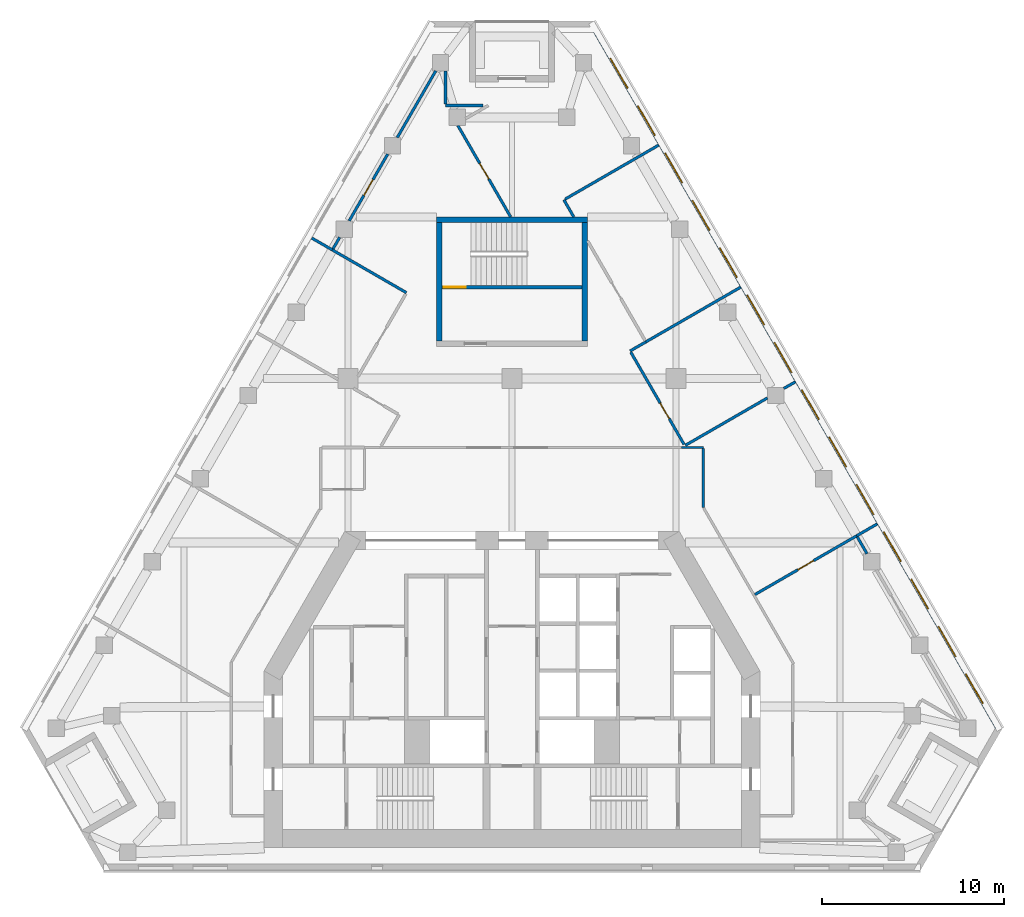
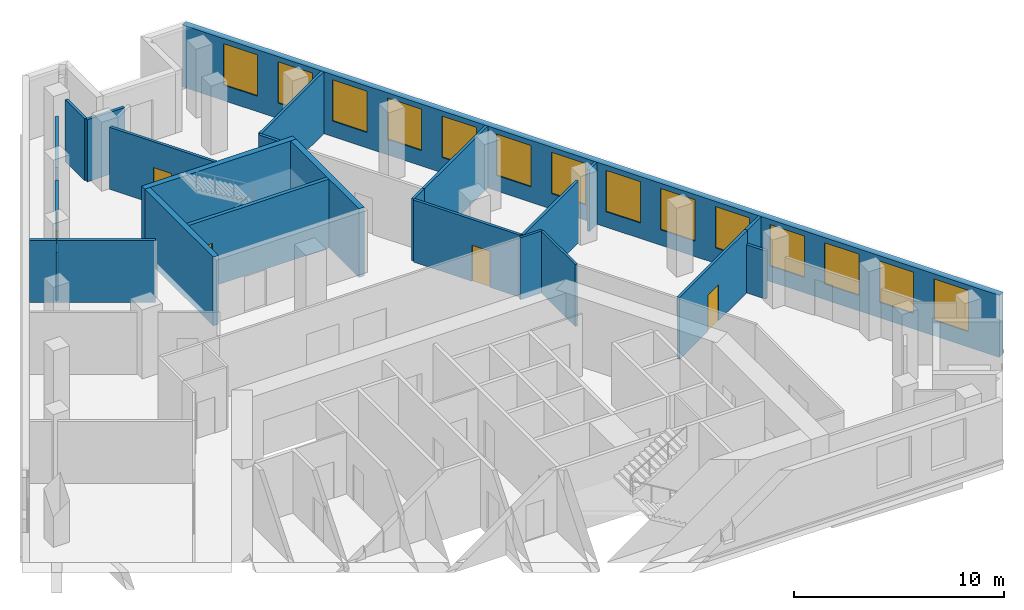
# One storey, part 6 of 8: 25 walls, 14 windows, 5 doors, 19 openings.
"""IFC4 building model written with IfcOpenShell, lengths in metres."""

from ifc_helpers import new_model, si_unit, direction, frame, frame_2d, origin, place, context, subcontext, project, spatial, rectangle, extrude, material, layer, layer_set, type_object, element, fill, save


model = new_model("IFC4")

# Units and contexts
model_context = context("Model", 3, precision=1e-05, world=origin(), true_north=direction((0.0, 1.0)))
body_context = subcontext(model_context, "Body", "Model", "MODEL_VIEW")
ifc_project = project(units=[si_unit("LENGTHUNIT", "METRE"), si_unit("AREAUNIT", "SQUARE_METRE"), si_unit("VOLUMEUNIT", "CUBIC_METRE"), si_unit("PLANEANGLEUNIT", "RADIAN"), si_unit("MASSUNIT", "GRAM", prefix="KILO")], contexts=[model_context])

# Site, building, storey
site_placement = place(None, origin())
site = spatial("IfcSite", under=ifc_project, at=site_placement, CompositionType="ELEMENT")
building_placement = place(site_placement, origin())
building = spatial("IfcBuilding", under=site, at=building_placement, Name="Fogline Exchange Tower", CompositionType="ELEMENT")
storey_placement = place(building_placement, frame((0.0, 0.0, 231.5)))
storey = spatial("IfcBuildingStorey", under=building, at=storey_placement, Name="L52", CompositionType="ELEMENT", Elevation=231.5)

# Wall, opening, door
ifc_material_1 = material(Name="Concrete C40", Category="concrete")
ifc_layer_1 = layer(ifc_material_1, 0.199951171875)
ifc_layer_set_1 = layer_set([ifc_layer_1], Name="CW20R")
wall_type_1 = type_object("IfcWallType", Name="CW20R", PredefinedType="SOLIDWALL", material=ifc_layer_set_1)
wall_1_placement = place(storey_placement, frame((-3.85009765625, 32.007080078125, -0.39990234375), z_axis=(0.0, 0.0, 1.0), x_axis=(1.0, 0.0, 0.0)))
wall_1 = element("IfcWall", 1, at=wall_1_placement, inside=storey, type_object=wall_type_1, Name="Stair enclosure wall ST3", PredefinedType="SOLIDWALL", context=body_context, shape_type="SweptSolid", body=[
    extrude(rectangle(XDim=7.7001953125, YDim=0.199951171875, at=frame_2d((3.85009765625, 0.0))), origin(), (0.0, 0.0, 1.0), 4.0),
])
opening_1_placement = place(wall_1_placement, frame((0.10009765625, 0.0, 0.39990234375)))
opening_1 = element("IfcOpeningElement", 2, at=opening_1_placement, cuts=wall_1, Name="Opening T16-C023", PredefinedType="OPENING", context=body_context, shape_type="SweptSolid", body=[
    extrude(rectangle(XDim=1.199951171875, YDim=2.10009765625, at=frame_2d((0.60009765625, 1.050048828125))), frame((0.0, 0.10986328125, 0.0), z_axis=(0.0, -1.0, 0.0), x_axis=(1.0, 0.0, 0.0)), (0.0, 0.0, 1.0), 0.219970703125),
])
ifc_material_2 = material(Name="Steel and timber fire door", Category="steel")
door_type_1 = type_object("IfcDoorType", Name="D-ST1", OperationType="SINGLE_SWING_LEFT", PredefinedType="DOOR", material=ifc_material_2)
door_1_placement = place(opening_1_placement, origin())
door_1 = element("IfcDoor", 3, at=door_1_placement, inside=storey, type_object=door_type_1, Name="Stair door ST3", OperationType="SINGLE_SWING_LEFT", OverallHeight=2.10009765625, OverallWidth=1.199951171875, PredefinedType="DOOR", context=body_context, shape_type="SweptSolid", body=[
    extrude(rectangle(XDim=1.199951171875, YDim=2.10009765625, at=frame_2d((0.60009765625, 1.050048828125))), frame((0.0, 0.02490234375, 0.0), z_axis=(0.0, -1.0, 0.0), x_axis=(1.0, 0.0, 0.0)), (0.0, 0.0, 1.0), 0.050048828125),
])
fill(opening_1, door_1)

# Walls
ifc_layer_2 = layer(ifc_material_1, 0.300048828125)
ifc_layer_set_2 = layer_set([ifc_layer_2], Name="CW30")
wall_type_2 = type_object("IfcWallType", Name="CW30", PredefinedType="SOLIDWALL", material=ifc_layer_set_2)
wall_2_placement = place(storey_placement, frame((-4.14990234375, 35.70703125, -0.39990234375), z_axis=(0.0, 0.0, 1.0), x_axis=(1.0, 0.0, 0.0)))
element("IfcWall", 4, at=wall_2_placement, inside=storey, type_object=wall_type_2, Name="Stair enclosure wall ST3", PredefinedType="SOLIDWALL", context=body_context, shape_type="SweptSolid", body=[
    extrude(rectangle(XDim=8.2998046875, YDim=0.300048828125, at=frame_2d((4.14990234375, 0.0))), origin(), (0.0, 0.0, 1.0), 4.0),
])
for number, where, z_axis, x_axis, name in (
    (5, (-4.0, 29.056884765625, -0.39990234375), (0.0, 0.0, 1.0), (0.0, 1.0, 0.0), "Stair enclosure wall ST3"),
    (6, (4.0, 29.056884765625, -0.39990234375), (0.0, 0.0, 1.0), (0.0, 1.0, 0.0), "Stair enclosure wall ST3"),
):
    element("IfcWall", number, at=place(storey_placement, frame(where, z_axis=z_axis, x_axis=x_axis)), inside=storey, type_object=wall_type_2, Name=name, PredefinedType="SOLIDWALL", context=body_context, shape_type="SweptSolid", body=[
        extrude(rectangle(XDim=6.5, YDim=0.300048828125, at=frame_2d((3.25, 0.0))), origin(), (0.0, 0.0, 1.0), 4.0),
    ])

# Wall, openings, windows
ifc_material_3 = material(Name="Brick masonry", Category="masonry")
ifc_layer_3 = layer(ifc_material_3, 0.340087890625)
ifc_layer_set_3 = layer_set([ifc_layer_3], Name="FW1")
wall_type_3 = type_object("IfcWallType", Name="FW1", PredefinedType="SOLIDWALL", material=ifc_layer_set_3)
wall_3_placement = place(storey_placement, frame((26.766845703125, 7.709228515625, 0.0), z_axis=(0.0, 0.0, 1.0), x_axis=(-0.499997926022, 0.866026601193, 0.0)))
wall_3 = element("IfcWall", 7, at=wall_3_placement, inside=storey, type_object=wall_type_3, Name="Brick wall L52 E", PredefinedType="SOLIDWALL", context=body_context, shape_type="SweptSolid", body=[
    extrude(rectangle(XDim=44.828369140625, YDim=0.340087890625, at=frame_2d((22.4140625, 0.0))), origin(), (0.0, 0.0, 1.0), 3.60009765625),
])
opening_2_placement = place(wall_3_placement, frame((1.70703125, 0.0, 0.89990234375)))
opening_2 = element("IfcOpeningElement", 8, at=opening_2_placement, cuts=wall_3, Name="Opening W1", PredefinedType="OPENING", context=body_context, shape_type="SweptSolid", body=[
    extrude(rectangle(XDim=1.885009765625, YDim=2.39990234375, at=frame_2d((0.9423828125, 1.199951171875))), frame((0.0, 0.18017578125, 0.0), z_axis=(0.0, -1.0, 0.0), x_axis=(1.0, 0.0, 0.0)), (0.0, 0.0, 1.0), 0.360107421875),
])
opening_3_placement = place(wall_3_placement, frame((4.70703125, 0.0, 0.89990234375)))
opening_3 = element("IfcOpeningElement", 9, at=opening_3_placement, cuts=wall_3, Name="Opening W1", PredefinedType="OPENING", context=body_context, shape_type="SweptSolid", body=[
    extrude(rectangle(XDim=1.885009765625, YDim=2.39990234375, at=frame_2d((0.9423828125, 1.199951171875))), frame((0.0, 0.18017578125, 0.0), z_axis=(0.0, -1.0, 0.0), x_axis=(1.0, 0.0, 0.0)), (0.0, 0.0, 1.0), 0.360107421875),
])
opening_4_placement = place(wall_3_placement, frame((7.70703125, 0.0, 0.89990234375)))
opening_4 = element("IfcOpeningElement", 10, at=opening_4_placement, cuts=wall_3, Name="Opening W1", PredefinedType="OPENING", context=body_context, shape_type="SweptSolid", body=[
    extrude(rectangle(XDim=1.885009765625, YDim=2.39990234375, at=frame_2d((0.9423828125, 1.199951171875))), frame((0.0, 0.18017578125, 0.0), z_axis=(0.0, -1.0, 0.0), x_axis=(1.0, 0.0, 0.0)), (0.0, 0.0, 1.0), 0.360107421875),
])
opening_5_placement = place(wall_3_placement, frame((10.70703125, 0.0, 0.89990234375)))
opening_5 = element("IfcOpeningElement", 11, at=opening_5_placement, cuts=wall_3, Name="Opening W1", PredefinedType="OPENING", context=body_context, shape_type="SweptSolid", body=[
    extrude(rectangle(XDim=1.885009765625, YDim=2.39990234375, at=frame_2d((0.9423828125, 1.199951171875))), frame((0.0, 0.18017578125, 0.0), z_axis=(0.0, -1.0, 0.0), x_axis=(1.0, 0.0, 0.0)), (0.0, 0.0, 1.0), 0.360107421875),
])
opening_6_placement = place(wall_3_placement, frame((13.70703125, 0.0, 0.89990234375)))
opening_6 = element("IfcOpeningElement", 12, at=opening_6_placement, cuts=wall_3, Name="Opening W1", PredefinedType="OPENING", context=body_context, shape_type="SweptSolid", body=[
    extrude(rectangle(XDim=1.885009765625, YDim=2.39990234375, at=frame_2d((0.9423828125, 1.199951171875))), frame((0.0, 0.18017578125, 0.0), z_axis=(0.0, -1.0, 0.0), x_axis=(1.0, 0.0, 0.0)), (0.0, 0.0, 1.0), 0.360107421875),
])
opening_7_placement = place(wall_3_placement, frame((16.70703125, 0.0, 0.89990234375)))
opening_7 = element("IfcOpeningElement", 13, at=opening_7_placement, cuts=wall_3, Name="Opening W1", PredefinedType="OPENING", context=body_context, shape_type="SweptSolid", body=[
    extrude(rectangle(XDim=1.885009765625, YDim=2.39990234375, at=frame_2d((0.9423828125, 1.199951171875))), frame((0.0, 0.18017578125, 0.0), z_axis=(0.0, -1.0, 0.0), x_axis=(1.0, 0.0, 0.0)), (0.0, 0.0, 1.0), 0.360107421875),
])
opening_8_placement = place(wall_3_placement, frame((19.70703125, 0.0, 0.89990234375)))
opening_8 = element("IfcOpeningElement", 14, at=opening_8_placement, cuts=wall_3, Name="Opening W1", PredefinedType="OPENING", context=body_context, shape_type="SweptSolid", body=[
    extrude(rectangle(XDim=1.885009765625, YDim=2.39990234375, at=frame_2d((0.9423828125, 1.199951171875))), frame((0.0, 0.18017578125, 0.0), z_axis=(0.0, -1.0, 0.0), x_axis=(1.0, 0.0, 0.0)), (0.0, 0.0, 1.0), 0.360107421875),
])
opening_9_placement = place(wall_3_placement, frame((22.70703125, 0.0, 0.89990234375)))
opening_9 = element("IfcOpeningElement", 15, at=opening_9_placement, cuts=wall_3, Name="Opening W1", PredefinedType="OPENING", context=body_context, shape_type="SweptSolid", body=[
    extrude(rectangle(XDim=1.885009765625, YDim=2.39990234375, at=frame_2d((0.9423828125, 1.199951171875))), frame((0.0, 0.18017578125, 0.0), z_axis=(0.0, -1.0, 0.0), x_axis=(1.0, 0.0, 0.0)), (0.0, 0.0, 1.0), 0.360107421875),
])
opening_10_placement = place(wall_3_placement, frame((25.70703125, 0.0, 0.89990234375)))
opening_10 = element("IfcOpeningElement", 16, at=opening_10_placement, cuts=wall_3, Name="Opening W1", PredefinedType="OPENING", context=body_context, shape_type="SweptSolid", body=[
    extrude(rectangle(XDim=1.885009765625, YDim=2.39990234375, at=frame_2d((0.9423828125, 1.199951171875))), frame((0.0, 0.18017578125, 0.0), z_axis=(0.0, -1.0, 0.0), x_axis=(1.0, 0.0, 0.0)), (0.0, 0.0, 1.0), 0.360107421875),
])
opening_11_placement = place(wall_3_placement, frame((28.70703125, 0.0, 0.89990234375)))
opening_11 = element("IfcOpeningElement", 17, at=opening_11_placement, cuts=wall_3, Name="Opening W1", PredefinedType="OPENING", context=body_context, shape_type="SweptSolid", body=[
    extrude(rectangle(XDim=1.885009765625, YDim=2.39990234375, at=frame_2d((0.9423828125, 1.199951171875))), frame((0.0, 0.18017578125, 0.0), z_axis=(0.0, -1.0, 0.0), x_axis=(1.0, 0.0, 0.0)), (0.0, 0.0, 1.0), 0.360107421875),
])
opening_12_placement = place(wall_3_placement, frame((31.70703125, 0.0, 0.89990234375)))
opening_12 = element("IfcOpeningElement", 18, at=opening_12_placement, cuts=wall_3, Name="Opening W1", PredefinedType="OPENING", context=body_context, shape_type="SweptSolid", body=[
    extrude(rectangle(XDim=1.885009765625, YDim=2.39990234375, at=frame_2d((0.9423828125, 1.199951171875))), frame((0.0, 0.18017578125, 0.0), z_axis=(0.0, -1.0, 0.0), x_axis=(1.0, 0.0, 0.0)), (0.0, 0.0, 1.0), 0.360107421875),
])
opening_13_placement = place(wall_3_placement, frame((34.70703125, 0.0, 0.89990234375)))
opening_13 = element("IfcOpeningElement", 19, at=opening_13_placement, cuts=wall_3, Name="Opening W1", PredefinedType="OPENING", context=body_context, shape_type="SweptSolid", body=[
    extrude(rectangle(XDim=1.885009765625, YDim=2.39990234375, at=frame_2d((0.9423828125, 1.199951171875))), frame((0.0, 0.18017578125, 0.0), z_axis=(0.0, -1.0, 0.0), x_axis=(1.0, 0.0, 0.0)), (0.0, 0.0, 1.0), 0.360107421875),
])
opening_14_placement = place(wall_3_placement, frame((37.70703125, 0.0, 0.89990234375)))
opening_14 = element("IfcOpeningElement", 20, at=opening_14_placement, cuts=wall_3, Name="Opening W1", PredefinedType="OPENING", context=body_context, shape_type="SweptSolid", body=[
    extrude(rectangle(XDim=1.885009765625, YDim=2.39990234375, at=frame_2d((0.9423828125, 1.199951171875))), frame((0.0, 0.18017578125, 0.0), z_axis=(0.0, -1.0, 0.0), x_axis=(1.0, 0.0, 0.0)), (0.0, 0.0, 1.0), 0.360107421875),
])
opening_15_placement = place(wall_3_placement, frame((40.70703125, 0.0, 0.89990234375)))
opening_15 = element("IfcOpeningElement", 21, at=opening_15_placement, cuts=wall_3, Name="Opening W1", PredefinedType="OPENING", context=body_context, shape_type="SweptSolid", body=[
    extrude(rectangle(XDim=1.885009765625, YDim=2.39990234375, at=frame_2d((0.9423828125, 1.199951171875))), frame((0.0, 0.18017578125, 0.0), z_axis=(0.0, -1.0, 0.0), x_axis=(1.0, 0.0, 0.0)), (0.0, 0.0, 1.0), 0.360107421875),
])
ifc_material_4 = material(Name="Aluminium and glass", Category="aluminium")
window_type = type_object("IfcWindowType", Name="W1", PartitioningType="SINGLE_PANEL", PredefinedType="WINDOW", material=ifc_material_4)
window_1_placement = place(opening_2_placement, origin())
window_1 = element("IfcWindow", 22, at=window_1_placement, inside=storey, type_object=window_type, Name="W1 W1", OverallHeight=2.39990234375, OverallWidth=1.885009765625, PartitioningType="SINGLE_PANEL", PredefinedType="WINDOW", context=body_context, shape_type="SweptSolid", body=[
    extrude(rectangle(XDim=1.885009765625, YDim=2.39990234375, at=frame_2d((0.9423828125, 1.199951171875))), frame((0.0, 0.110107421875, 0.0), z_axis=(0.0, -1.0, 0.0), x_axis=(1.0, 0.0, 0.0)), (0.0, 0.0, 1.0), 0.06005859375),
])
fill(opening_2, window_1)
window_2_placement = place(opening_3_placement, origin())
window_2 = element("IfcWindow", 23, at=window_2_placement, inside=storey, type_object=window_type, Name="W1 W1", OverallHeight=2.39990234375, OverallWidth=1.885009765625, PartitioningType="SINGLE_PANEL", PredefinedType="WINDOW", context=body_context, shape_type="SweptSolid", body=[
    extrude(rectangle(XDim=1.885009765625, YDim=2.39990234375, at=frame_2d((0.9423828125, 1.199951171875))), frame((0.0, 0.110107421875, 0.0), z_axis=(0.0, -1.0, 0.0), x_axis=(1.0, 0.0, 0.0)), (0.0, 0.0, 1.0), 0.06005859375),
])
fill(opening_3, window_2)
window_3_placement = place(opening_4_placement, origin())
window_3 = element("IfcWindow", 24, at=window_3_placement, inside=storey, type_object=window_type, Name="W1 W1", OverallHeight=2.39990234375, OverallWidth=1.885009765625, PartitioningType="SINGLE_PANEL", PredefinedType="WINDOW", context=body_context, shape_type="SweptSolid", body=[
    extrude(rectangle(XDim=1.885009765625, YDim=2.39990234375, at=frame_2d((0.9423828125, 1.199951171875))), frame((0.0, 0.110107421875, 0.0), z_axis=(0.0, -1.0, 0.0), x_axis=(1.0, 0.0, 0.0)), (0.0, 0.0, 1.0), 0.06005859375),
])
fill(opening_4, window_3)
window_4_placement = place(opening_5_placement, origin())
window_4 = element("IfcWindow", 25, at=window_4_placement, inside=storey, type_object=window_type, Name="W1 W1", OverallHeight=2.39990234375, OverallWidth=1.885009765625, PartitioningType="SINGLE_PANEL", PredefinedType="WINDOW", context=body_context, shape_type="SweptSolid", body=[
    extrude(rectangle(XDim=1.885009765625, YDim=2.39990234375, at=frame_2d((0.9423828125, 1.199951171875))), frame((0.0, 0.110107421875, 0.0), z_axis=(0.0, -1.0, 0.0), x_axis=(1.0, 0.0, 0.0)), (0.0, 0.0, 1.0), 0.06005859375),
])
fill(opening_5, window_4)
window_5_placement = place(opening_6_placement, origin())
window_5 = element("IfcWindow", 26, at=window_5_placement, inside=storey, type_object=window_type, Name="W1 W1", OverallHeight=2.39990234375, OverallWidth=1.885009765625, PartitioningType="SINGLE_PANEL", PredefinedType="WINDOW", context=body_context, shape_type="SweptSolid", body=[
    extrude(rectangle(XDim=1.885009765625, YDim=2.39990234375, at=frame_2d((0.9423828125, 1.199951171875))), frame((0.0, 0.110107421875, 0.0), z_axis=(0.0, -1.0, 0.0), x_axis=(1.0, 0.0, 0.0)), (0.0, 0.0, 1.0), 0.06005859375),
])
fill(opening_6, window_5)
window_6_placement = place(opening_7_placement, origin())
window_6 = element("IfcWindow", 27, at=window_6_placement, inside=storey, type_object=window_type, Name="W1 W1", OverallHeight=2.39990234375, OverallWidth=1.885009765625, PartitioningType="SINGLE_PANEL", PredefinedType="WINDOW", context=body_context, shape_type="SweptSolid", body=[
    extrude(rectangle(XDim=1.885009765625, YDim=2.39990234375, at=frame_2d((0.9423828125, 1.199951171875))), frame((0.0, 0.110107421875, 0.0), z_axis=(0.0, -1.0, 0.0), x_axis=(1.0, 0.0, 0.0)), (0.0, 0.0, 1.0), 0.06005859375),
])
fill(opening_7, window_6)
window_7_placement = place(opening_8_placement, origin())
window_7 = element("IfcWindow", 28, at=window_7_placement, inside=storey, type_object=window_type, Name="W1 W1", OverallHeight=2.39990234375, OverallWidth=1.885009765625, PartitioningType="SINGLE_PANEL", PredefinedType="WINDOW", context=body_context, shape_type="SweptSolid", body=[
    extrude(rectangle(XDim=1.885009765625, YDim=2.39990234375, at=frame_2d((0.9423828125, 1.199951171875))), frame((0.0, 0.110107421875, 0.0), z_axis=(0.0, -1.0, 0.0), x_axis=(1.0, 0.0, 0.0)), (0.0, 0.0, 1.0), 0.06005859375),
])
fill(opening_8, window_7)
window_8_placement = place(opening_9_placement, origin())
window_8 = element("IfcWindow", 29, at=window_8_placement, inside=storey, type_object=window_type, Name="W1 W1", OverallHeight=2.39990234375, OverallWidth=1.885009765625, PartitioningType="SINGLE_PANEL", PredefinedType="WINDOW", context=body_context, shape_type="SweptSolid", body=[
    extrude(rectangle(XDim=1.885009765625, YDim=2.39990234375, at=frame_2d((0.9423828125, 1.199951171875))), frame((0.0, 0.110107421875, 0.0), z_axis=(0.0, -1.0, 0.0), x_axis=(1.0, 0.0, 0.0)), (0.0, 0.0, 1.0), 0.06005859375),
])
fill(opening_9, window_8)
window_9_placement = place(opening_10_placement, origin())
window_9 = element("IfcWindow", 30, at=window_9_placement, inside=storey, type_object=window_type, Name="W1 W1", OverallHeight=2.39990234375, OverallWidth=1.885009765625, PartitioningType="SINGLE_PANEL", PredefinedType="WINDOW", context=body_context, shape_type="SweptSolid", body=[
    extrude(rectangle(XDim=1.885009765625, YDim=2.39990234375, at=frame_2d((0.9423828125, 1.199951171875))), frame((0.0, 0.110107421875, 0.0), z_axis=(0.0, -1.0, 0.0), x_axis=(1.0, 0.0, 0.0)), (0.0, 0.0, 1.0), 0.06005859375),
])
fill(opening_10, window_9)
window_10_placement = place(opening_11_placement, origin())
window_10 = element("IfcWindow", 31, at=window_10_placement, inside=storey, type_object=window_type, Name="W1 W1", OverallHeight=2.39990234375, OverallWidth=1.885009765625, PartitioningType="SINGLE_PANEL", PredefinedType="WINDOW", context=body_context, shape_type="SweptSolid", body=[
    extrude(rectangle(XDim=1.885009765625, YDim=2.39990234375, at=frame_2d((0.9423828125, 1.199951171875))), frame((0.0, 0.110107421875, 0.0), z_axis=(0.0, -1.0, 0.0), x_axis=(1.0, 0.0, 0.0)), (0.0, 0.0, 1.0), 0.06005859375),
])
fill(opening_11, window_10)
window_11_placement = place(opening_12_placement, origin())
window_11 = element("IfcWindow", 32, at=window_11_placement, inside=storey, type_object=window_type, Name="W1 W1", OverallHeight=2.39990234375, OverallWidth=1.885009765625, PartitioningType="SINGLE_PANEL", PredefinedType="WINDOW", context=body_context, shape_type="SweptSolid", body=[
    extrude(rectangle(XDim=1.885009765625, YDim=2.39990234375, at=frame_2d((0.9423828125, 1.199951171875))), frame((0.0, 0.110107421875, 0.0), z_axis=(0.0, -1.0, 0.0), x_axis=(1.0, 0.0, 0.0)), (0.0, 0.0, 1.0), 0.06005859375),
])
fill(opening_12, window_11)
window_12_placement = place(opening_13_placement, origin())
window_12 = element("IfcWindow", 33, at=window_12_placement, inside=storey, type_object=window_type, Name="W1 W1", OverallHeight=2.39990234375, OverallWidth=1.885009765625, PartitioningType="SINGLE_PANEL", PredefinedType="WINDOW", context=body_context, shape_type="SweptSolid", body=[
    extrude(rectangle(XDim=1.885009765625, YDim=2.39990234375, at=frame_2d((0.9423828125, 1.199951171875))), frame((0.0, 0.110107421875, 0.0), z_axis=(0.0, -1.0, 0.0), x_axis=(1.0, 0.0, 0.0)), (0.0, 0.0, 1.0), 0.06005859375),
])
fill(opening_13, window_12)
window_13_placement = place(opening_14_placement, origin())
window_13 = element("IfcWindow", 34, at=window_13_placement, inside=storey, type_object=window_type, Name="W1 W1", OverallHeight=2.39990234375, OverallWidth=1.885009765625, PartitioningType="SINGLE_PANEL", PredefinedType="WINDOW", context=body_context, shape_type="SweptSolid", body=[
    extrude(rectangle(XDim=1.885009765625, YDim=2.39990234375, at=frame_2d((0.9423828125, 1.199951171875))), frame((0.0, 0.110107421875, 0.0), z_axis=(0.0, -1.0, 0.0), x_axis=(1.0, 0.0, 0.0)), (0.0, 0.0, 1.0), 0.06005859375),
])
fill(opening_14, window_13)
window_14_placement = place(opening_15_placement, origin())
window_14 = element("IfcWindow", 35, at=window_14_placement, inside=storey, type_object=window_type, Name="W1 W1", OverallHeight=2.39990234375, OverallWidth=1.885009765625, PartitioningType="SINGLE_PANEL", PredefinedType="WINDOW", context=body_context, shape_type="SweptSolid", body=[
    extrude(rectangle(XDim=1.885009765625, YDim=2.39990234375, at=frame_2d((0.9423828125, 1.199951171875))), frame((0.0, 0.110107421875, 0.0), z_axis=(0.0, -1.0, 0.0), x_axis=(1.0, 0.0, 0.0)), (0.0, 0.0, 1.0), 0.06005859375),
])
fill(opening_15, window_14)

# Walls
ifc_material_5 = material(Name="Plasterboard corridor partition with mineral wool, 2 layers each side")
ifc_layer_4 = layer(ifc_material_5, 0.125)
ifc_layer_set_4 = layer_set([ifc_layer_4], Name="PW2")
wall_type_4 = type_object("IfcWallType", Name="PW2", PredefinedType="PARTITIONING", material=ifc_layer_set_4)
wall_4_placement = place(storey_placement, frame((9.298583984375, 23.199951171875, 0.0), z_axis=(0.0, 0.0, 1.0), x_axis=(1.0, 0.0, 0.0)))
element("IfcWall", 36, at=wall_4_placement, inside=storey, type_object=wall_type_4, Name="wall-L52-W005", PredefinedType="PARTITIONING", context=body_context, shape_type="SweptSolid", body=[
    extrude(rectangle(XDim=1.201416015625, YDim=0.125, at=frame_2d((0.6005859375, 0.0))), origin(), (0.0, 0.0, 1.0), 3.60009765625),
])
wall_5_placement = place(storey_placement, frame((10.5, 23.137451171875, 0.0), z_axis=(0.0, 0.0, 1.0), x_axis=(0.0, -1.0, 0.0)))
element("IfcWall", 37, at=wall_5_placement, inside=storey, type_object=wall_type_4, Name="wall-L52-W006", PredefinedType="PARTITIONING", context=body_context, shape_type="SweptSolid", body=[
    extrude(rectangle(XDim=3.22265625, YDim=0.125, at=frame_2d((1.611328125, 0.0))), origin(), (0.0, 0.0, 1.0), 3.60009765625),
])
ifc_material_6 = material(Name="Plasterboard demising partition with mineral wool and acoustic board")
ifc_layer_5 = layer(ifc_material_6, 0.14990234375)
ifc_layer_set_5 = layer_set([ifc_layer_5], Name="PW3")
wall_type_5 = type_object("IfcWallType", Name="PW3", PredefinedType="PARTITIONING", material=ifc_layer_set_5)
wall_6_placement = place(storey_placement, frame((9.519775390625, 23.32763671875, 0.0), z_axis=(0.0, 0.0, 1.0), x_axis=(0.866033762504, 0.499985521993, 0.0)))
element("IfcWall", 38, at=wall_6_placement, inside=storey, type_object=wall_type_5, Name="wall-L52-W017", PredefinedType="PARTITIONING", context=body_context, shape_type="SweptSolid", body=[
    extrude(rectangle(XDim=5.195068359375, YDim=0.14990234375, at=frame_2d((2.59765625, 0.0))), origin(), (0.0, 0.0, 1.0), 3.60009765625),
])
wall_7_placement = place(storey_placement, frame((14.918701171875, 26.444580078125, 0.0), z_axis=(0.0, 0.0, 1.0), x_axis=(0.865865073245, 0.500277597875, 0.0)))
element("IfcWall", 39, at=wall_7_placement, inside=storey, type_object=wall_type_5, Name="wall-L52-W018", PredefinedType="PARTITIONING", context=body_context, shape_type="SweptSolid", body=[
    extrude(rectangle(XDim=0.72314453125, YDim=0.14990234375, at=frame_2d((0.361572265625, 0.0))), origin(), (0.0, 0.0, 1.0), 3.60009765625),
])
wall_8_placement = place(storey_placement, frame((20.044921875, 19.01220703125, 0.0), z_axis=(0.0, 0.0, 1.0), x_axis=(-0.865989304205, -0.500062521093, 0.0)))
element("IfcWall", 40, at=wall_8_placement, inside=storey, type_object=wall_type_5, Name="wall-L52-W019", PredefinedType="PARTITIONING", context=body_context, shape_type="SweptSolid", body=[
    extrude(rectangle(XDim=1.304931640625, YDim=0.14990234375, at=frame_2d((0.65234375, 0.0))), origin(), (0.0, 0.0, 1.0), 3.60009765625),
])

# Wall, opening, door
wall_9_placement = place(storey_placement, frame((18.914794921875, 18.359619140625, 0.0), z_axis=(0.0, 0.0, 1.0), x_axis=(-0.866025414547, -0.499999981359, 0.0)))
wall_9 = element("IfcWall", 41, at=wall_9_placement, inside=storey, type_object=wall_type_5, Name="wall-L52-W020", PredefinedType="PARTITIONING", context=body_context, shape_type="SweptSolid", body=[
    extrude(rectangle(XDim=6.447265625, YDim=0.14990234375, at=frame_2d((3.2236328125, 0.0))), origin(), (0.0, 0.0, 1.0), 3.60009765625),
])
opening_16_placement = place(wall_9_placement, frame((2.7236328125, 0.0, 0.0)))
opening_16 = element("IfcOpeningElement", 42, at=opening_16_placement, cuts=wall_9, Name="Opening T16-D007", PredefinedType="OPENING", context=body_context, shape_type="SweptSolid", body=[
    extrude(rectangle(XDim=1.0, YDim=2.10009765625, at=frame_2d((0.5, 1.050048828125))), frame((0.0, 0.0849609375, 0.0), z_axis=(0.0, -1.0, 0.0), x_axis=(1.0, 0.0, 0.0)), (0.0, 0.0, 1.0), 0.169921875),
])
ifc_material_7 = material(Name="Fire-rated timber door leaf with steel frame", Category="steel")
door_type_2 = type_object("IfcDoorType", Name="D3", OperationType="SINGLE_SWING_LEFT", PredefinedType="DOOR", material=ifc_material_7)
door_2_placement = place(opening_16_placement, frame((1.0, 0.0, 0.0), z_axis=(0.0, 0.0, 1.0), x_axis=(-1.0, 0.0, 0.0)))
door_2 = element("IfcDoor", 43, at=door_2_placement, inside=storey, type_object=door_type_2, Name="door-L52-D007", OperationType="SINGLE_SWING_RIGHT", OverallHeight=2.10009765625, OverallWidth=1.0, PredefinedType="DOOR", context=body_context, shape_type="SweptSolid", body=[
    extrude(rectangle(XDim=1.0, YDim=2.10009765625, at=frame_2d((0.5, 1.050048828125))), frame((0.0, 0.02490234375, 0.0), z_axis=(0.0, -1.0, 0.0), x_axis=(1.0, 0.0, 0.0)), (0.0, 0.0, 1.0), 0.050048828125),
])
fill(opening_16, door_2)

# Wall
wall_10_placement = place(storey_placement, frame((7.348876953125, 29.00244140625, 0.0), z_axis=(0.0, 0.0, 1.0), x_axis=(0.866020924479, 0.500007758305, 0.0)))
element("IfcWall", 44, at=wall_10_placement, inside=storey, type_object=wall_type_5, Name="wall-L52-W021", PredefinedType="PARTITIONING", context=body_context, shape_type="SweptSolid", body=[
    extrude(rectangle(XDim=6.0, YDim=0.14990234375, at=frame_2d((3.0, 0.0))), origin(), (0.0, 0.0, 1.0), 3.60009765625),
])

# Wall, opening, door
wall_11_placement = place(storey_placement, frame((9.4453125, 23.371337890625, 0.0), z_axis=(0.0, 0.0, 1.0), x_axis=(-0.500012662943, 0.866018092707, 0.0)))
wall_11 = element("IfcWall", 45, at=wall_11_placement, inside=storey, type_object=wall_type_5, Name="wall-L52-W022", PredefinedType="PARTITIONING", context=body_context, shape_type="SweptSolid", body=[
    extrude(rectangle(XDim=5.849853515625, YDim=0.14990234375, at=frame_2d((2.9248046875, 0.0))), origin(), (0.0, 0.0, 1.0), 3.60009765625),
])
opening_17_placement = place(wall_11_placement, frame((1.634033203125, 0.0, 0.0)))
opening_17 = element("IfcOpeningElement", 46, at=opening_17_placement, cuts=wall_11, Name="Opening T16-D008", PredefinedType="OPENING", context=body_context, shape_type="SweptSolid", body=[
    extrude(rectangle(XDim=1.0, YDim=2.10009765625, at=frame_2d((0.5, 1.050048828125))), frame((0.0, 0.0849609375, 0.0), z_axis=(0.0, -1.0, 0.0), x_axis=(1.0, 0.0, 0.0)), (0.0, 0.0, 1.0), 0.169921875),
])
door_3_placement = place(opening_17_placement, frame((1.0, 0.0, 0.0), z_axis=(0.0, 0.0, 1.0), x_axis=(-1.0, 0.0, 0.0)))
door_3 = element("IfcDoor", 47, at=door_3_placement, inside=storey, type_object=door_type_2, Name="door-L52-D008", OperationType="SINGLE_SWING_RIGHT", OverallHeight=2.10009765625, OverallWidth=1.0, PredefinedType="DOOR", context=body_context, shape_type="SweptSolid", body=[
    extrude(rectangle(XDim=1.0, YDim=2.10009765625, at=frame_2d((0.5, 1.050048828125))), frame((0.0, 0.02490234375, 0.0), z_axis=(0.0, -1.0, 0.0), x_axis=(1.0, 0.0, 0.0)), (0.0, 0.0, 1.0), 0.050048828125),
])
fill(opening_17, door_3)

# Walls
wall_12_placement = place(storey_placement, frame((6.482666015625, 28.50244140625, 0.0), z_axis=(0.0, 0.0, 1.0), x_axis=(0.866071776036, 0.499919672301, 0.0)))
element("IfcWall", 48, at=wall_12_placement, inside=storey, type_object=wall_type_5, Name="wall-L52-W023", PredefinedType="PARTITIONING", context=body_context, shape_type="SweptSolid", body=[
    extrude(rectangle(XDim=1.000244140625, YDim=0.14990234375, at=frame_2d((0.5, 0.0))), origin(), (0.0, 0.0, 1.0), 3.60009765625),
])
wall_13_placement = place(storey_placement, frame((3.391357421875, 35.85693359375, 0.0), z_axis=(0.0, 0.0, 1.0), x_axis=(-0.499962673433, 0.866046953215, 0.0)))
element("IfcWall", 49, at=wall_13_placement, inside=storey, type_object=wall_type_5, Name="wall-L52-W024", PredefinedType="PARTITIONING", context=body_context, shape_type="SweptSolid", body=[
    extrude(rectangle(XDim=1.0849609375, YDim=0.14990234375, at=frame_2d((0.54248046875, 0.0))), origin(), (0.0, 0.0, 1.0), 3.60009765625),
])
wall_14_placement = place(storey_placement, frame((2.913818359375, 36.834228515625, 0.0), z_axis=(0.0, 0.0, 1.0), x_axis=(0.866028447878, 0.499994727438, 0.0)))
element("IfcWall", 50, at=wall_14_placement, inside=storey, type_object=wall_type_5, Name="wall-L52-W025", PredefinedType="PARTITIONING", context=body_context, shape_type="SweptSolid", body=[
    extrude(rectangle(XDim=5.9248046875, YDim=0.14990234375, at=frame_2d((2.96240234375, 0.0))), origin(), (0.0, 0.0, 1.0), 3.60009765625),
])

# Wall, opening, door
wall_15_placement = place(storey_placement, frame((-0.07275390625, 35.85693359375, 0.0), z_axis=(0.0, 0.0, 1.0), x_axis=(-0.500003194204, 0.866023559602, 0.0)))
wall_15 = element("IfcWall", 51, at=wall_15_placement, inside=storey, type_object=wall_type_5, Name="wall-L52-W027", PredefinedType="PARTITIONING", context=body_context, shape_type="SweptSolid", body=[
    extrude(rectangle(XDim=5.79638671875, YDim=0.14990234375, at=frame_2d((2.898193359375, 0.0))), origin(), (0.0, 0.0, 1.0), 3.60009765625),
])
opening_18_placement = place(wall_15_placement, frame((2.398193359375, 0.0, 0.0)))
opening_18 = element("IfcOpeningElement", 52, at=opening_18_placement, cuts=wall_15, Name="Opening T16-D010", PredefinedType="OPENING", context=body_context, shape_type="SweptSolid", body=[
    extrude(rectangle(XDim=1.0, YDim=2.10009765625, at=frame_2d((0.5, 1.050048828125))), frame((0.0, 0.0849609375, 0.0), z_axis=(0.0, -1.0, 0.0), x_axis=(1.0, 0.0, 0.0)), (0.0, 0.0, 1.0), 0.169921875),
])
door_4_placement = place(opening_18_placement, frame((1.0, 0.0, 0.0), z_axis=(0.0, 0.0, 1.0), x_axis=(-1.0, 0.0, 0.0)))
door_4 = element("IfcDoor", 53, at=door_4_placement, inside=storey, type_object=door_type_2, Name="door-L52-D010", OperationType="SINGLE_SWING_RIGHT", OverallHeight=2.10009765625, OverallWidth=1.0, PredefinedType="DOOR", context=body_context, shape_type="SweptSolid", body=[
    extrude(rectangle(XDim=1.0, YDim=2.10009765625, at=frame_2d((0.5, 1.050048828125))), frame((0.0, 0.02490234375, 0.0), z_axis=(0.0, -1.0, 0.0), x_axis=(1.0, 0.0, 0.0)), (0.0, 0.0, 1.0), 0.050048828125),
])
fill(opening_18, door_4)

# Wall
wall_16_placement = place(storey_placement, frame((-9.819580078125, 34.112548828125, 0.0), z_axis=(0.0, 0.0, 1.0), x_axis=(0.500031897912, 0.866006986733, 0.0)))
element("IfcWall", 54, at=wall_16_placement, inside=storey, type_object=wall_type_5, Name="wall-L52-W029", PredefinedType="PARTITIONING", context=body_context, shape_type="SweptSolid", body=[
    extrude(rectangle(XDim=0.728515625, YDim=0.14990234375, at=frame_2d((0.3642578125, 0.0))), origin(), (0.0, 0.0, 1.0), 2.800048828125),
])

# Wall, opening, door
wall_17_placement = place(storey_placement, frame((-8.935791015625, 35.6435546875, 0.0), z_axis=(0.0, 0.0, 1.0), x_axis=(0.500015295222, 0.866016572904, 0.0)))
wall_17 = element("IfcWall", 55, at=wall_17_placement, inside=storey, type_object=wall_type_5, Name="wall-L52-W030", PredefinedType="PARTITIONING", context=body_context, shape_type="SweptSolid", body=[
    extrude(rectangle(XDim=4.233642578125, YDim=0.14990234375, at=frame_2d((2.11669921875, 0.0))), origin(), (0.0, 0.0, 1.0), 2.800048828125),
])
opening_19_placement = place(wall_17_placement, frame((1.616943359375, 0.0, 0.0)))
opening_19 = element("IfcOpeningElement", 56, at=opening_19_placement, cuts=wall_17, Name="Opening T16-D011", PredefinedType="OPENING", context=body_context, shape_type="SweptSolid", body=[
    extrude(rectangle(XDim=1.0, YDim=2.10009765625, at=frame_2d((0.5, 1.050048828125))), frame((0.0, 0.0849609375, 0.0), z_axis=(0.0, -1.0, 0.0), x_axis=(1.0, 0.0, 0.0)), (0.0, 0.0, 1.0), 0.169921875),
])
door_5_placement = place(opening_19_placement, origin())
door_5 = element("IfcDoor", 57, at=door_5_placement, inside=storey, type_object=door_type_2, Name="door-L52-D011", OperationType="SINGLE_SWING_RIGHT", OverallHeight=2.10009765625, OverallWidth=1.0, PredefinedType="DOOR", context=body_context, shape_type="SweptSolid", body=[
    extrude(rectangle(XDim=1.0, YDim=2.10009765625, at=frame_2d((0.5, 1.050048828125))), frame((0.0, 0.02490234375, 0.0), z_axis=(0.0, -1.0, 0.0), x_axis=(1.0, 0.0, 0.0)), (0.0, 0.0, 1.0), 0.050048828125),
])
fill(opening_19, door_5)

# Walls
wall_18_placement = place(storey_placement, frame((-6.29931640625, 40.210205078125, 0.0), z_axis=(0.0, 0.0, 1.0), x_axis=(0.499972045304, 0.866041542834, 0.0)))
element("IfcWall", 58, at=wall_18_placement, inside=storey, type_object=wall_type_5, Name="wall-L52-W031", PredefinedType="PARTITIONING", context=body_context, shape_type="SweptSolid", body=[
    extrude(rectangle(XDim=4.233642578125, YDim=0.14990234375, at=frame_2d((2.11669921875, 0.0))), origin(), (0.0, 0.0, 1.0), 2.800048828125),
])
wall_19_placement = place(storey_placement, frame((-3.64501953125, 43.876708984375, 0.0), z_axis=(0.0, 0.0, 1.0), x_axis=(0.0, -1.0, 0.0)))
element("IfcWall", 59, at=wall_19_placement, inside=storey, type_object=wall_type_5, Name="wall-L52-W032", PredefinedType="PARTITIONING", context=body_context, shape_type="SweptSolid", body=[
    extrude(rectangle(XDim=1.830078125, YDim=0.14990234375, at=frame_2d((0.9150390625, 0.0))), origin(), (0.0, 0.0, 1.0), 3.60009765625),
])
wall_20_placement = place(storey_placement, frame((-3.64501953125, 41.9716796875, 0.0), z_axis=(0.0, 0.0, 1.0), x_axis=(1.0, 0.0, 0.0)))
element("IfcWall", 60, at=wall_20_placement, inside=storey, type_object=wall_type_5, Name="wall-L52-W033", PredefinedType="PARTITIONING", context=body_context, shape_type="SweptSolid", body=[
    extrude(rectangle(XDim=2.055419921875, YDim=0.14990234375, at=frame_2d((1.02783203125, 0.0))), origin(), (0.0, 0.0, 1.0), 3.60009765625),
])
wall_21_placement = place(storey_placement, frame((-5.791259765625, 31.7001953125, 0.0), z_axis=(0.0, 0.0, 1.0), x_axis=(-0.866029713168, 0.499992535854, 0.0)))
element("IfcWall", 61, at=wall_21_placement, inside=storey, type_object=wall_type_5, Name="wall-L52-W035", PredefinedType="PARTITIONING", context=body_context, shape_type="SweptSolid", body=[
    extrude(rectangle(XDim=4.69482421875, YDim=0.14990234375, at=frame_2d((2.347412109375, 0.0))), origin(), (0.0, 0.0, 1.0), 3.60009765625),
])
wall_22_placement = place(storey_placement, frame((-9.857177734375, 34.047607421875, 0.0), z_axis=(0.0, 0.0, 1.0), x_axis=(-0.865989304205, 0.500062521093, 0.0)))
element("IfcWall", 62, at=wall_22_placement, inside=storey, type_object=wall_type_5, Name="wall-L52-W038", PredefinedType="PARTITIONING", context=body_context, shape_type="SweptSolid", body=[
    extrude(rectangle(XDim=1.304931640625, YDim=0.14990234375, at=frame_2d((0.65234375, 0.0))), origin(), (0.0, 0.0, 1.0), 3.60009765625),
])
wall_23_placement = place(storey_placement, frame((19.481689453125, 17.377197265625, 0.0), z_axis=(0.0, 0.0, 1.0), x_axis=(-0.499882057835, 0.866093487018, 0.0)))
element("IfcWall", 63, at=wall_23_placement, inside=storey, type_object=wall_type_5, Name="wall-L52-W053", PredefinedType="PARTITIONING", context=body_context, shape_type="SweptSolid", body=[
    extrude(rectangle(XDim=1.059326171875, YDim=0.14990234375, at=frame_2d((0.52978515625, 0.0))), origin(), (0.0, 0.0, 1.0), 2.800048828125),
])

save(model, "model.ifc")
